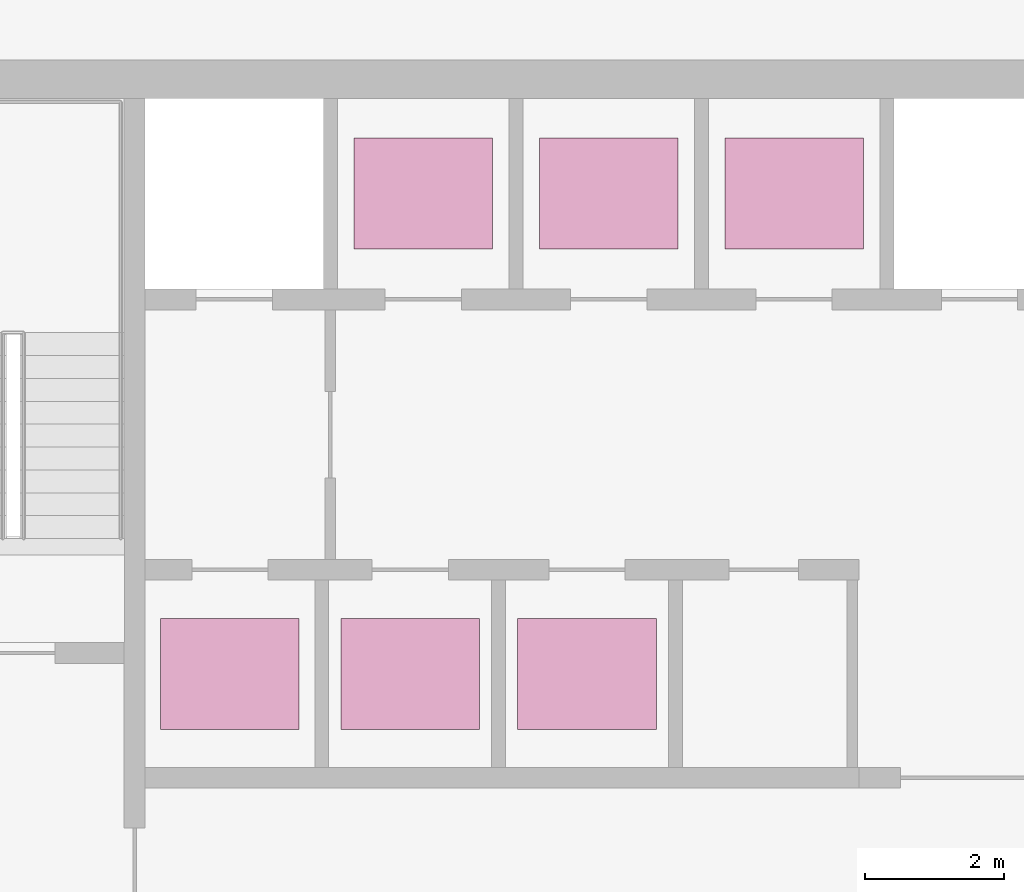
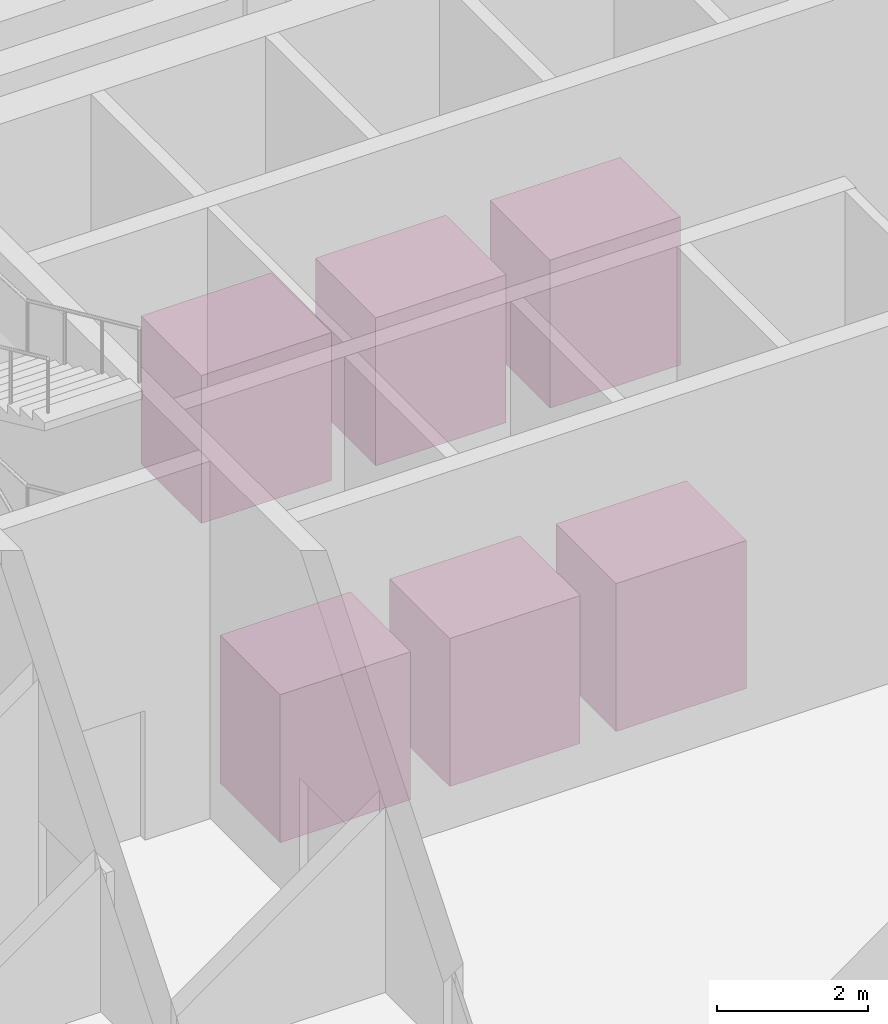
# One storey, part 15 of 15: 6 transport elements.
"""IFC4 building model written with IfcOpenShell, lengths in metres."""

from ifc_helpers import new_model, si_unit, direction, frame, origin, origin_2d, place, context, subcontext, project, spatial, rectangle, extrude, material, type_object, element, save


model = new_model("IFC4")

# Units and contexts
model_context = context("Model", 3, precision=1e-05, world=origin(), true_north=direction((0.0, 1.0)))
body_context = subcontext(model_context, "Body", "Model", "MODEL_VIEW")
ifc_project = project(units=[si_unit("LENGTHUNIT", "METRE"), si_unit("AREAUNIT", "SQUARE_METRE"), si_unit("VOLUMEUNIT", "CUBIC_METRE"), si_unit("PLANEANGLEUNIT", "RADIAN"), si_unit("MASSUNIT", "GRAM", prefix="KILO")], contexts=[model_context])

# Site, building, storey
site_placement = place(None, origin())
site = spatial("IfcSite", under=ifc_project, at=site_placement, CompositionType="ELEMENT")
building_placement = place(site_placement, origin())
building = spatial("IfcBuilding", under=site, at=building_placement, Name="Njiva Tower", CompositionType="ELEMENT")
storey_placement = place(building_placement, frame((0.0, 0.0, 133.8)))
storey = spatial("IfcBuildingStorey", under=building, at=storey_placement, Name="L28", CompositionType="ELEMENT", Elevation=133.8)

# Transport elements
ifc_material = material(Name="Stainless steel car", Category="steel")
transport_element_type = type_object("IfcTransportElementType", Name="LF1 Passenger lift 1600 kg", PredefinedType="ELEVATOR", material=ifc_material)
for number, where, z_axis, x_axis, name in (
    (1, (-6.6875, 16.075, 0.0), (0.0, 0.0, 1.0), (1.0, 0.0, 0.0), "Lift MB4 car"),
    (2, (-4.0125, 16.075, 0.0), (0.0, 0.0, 1.0), (1.0, 0.0, 0.0), "Lift MB5 car"),
    (3, (-1.3375, 16.075, 0.0), (0.0, 0.0, 1.0), (1.0, 0.0, 0.0), "Lift MB6 car"),
    (4, (-9.475, 9.15, 0.0), (0.0, 0.0, 1.0), (1.0, 0.0, 0.0), "Lift MB1 car"),
    (5, (-6.875, 9.15, 0.0), (0.0, 0.0, 1.0), (1.0, 0.0, 0.0), "Lift MB2 car"),
    (6, (-4.325, 9.15, 0.0), (0.0, 0.0, 1.0), (1.0, 0.0, 0.0), "Lift MB3 car"),
):
    element("IfcTransportElement", number, at=place(storey_placement, frame(where, z_axis=z_axis, x_axis=x_axis)), inside=storey, type_object=transport_element_type, Name=name, PredefinedType="ELEVATOR", context=body_context, shape_type="SweptSolid", body=[
        extrude(rectangle(XDim=2.0, YDim=1.6, at=origin_2d()), origin(), (0.0, 0.0, 1.0), 2.4),
    ])

save(model, "model.ifc")
